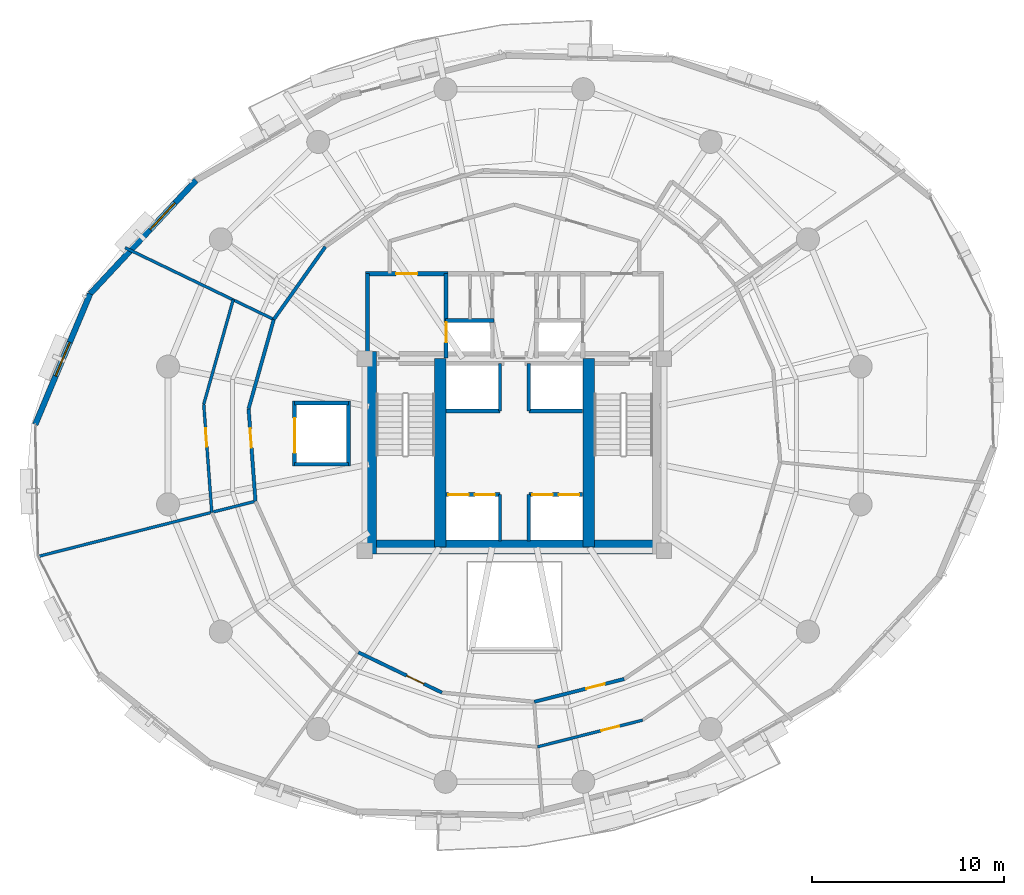
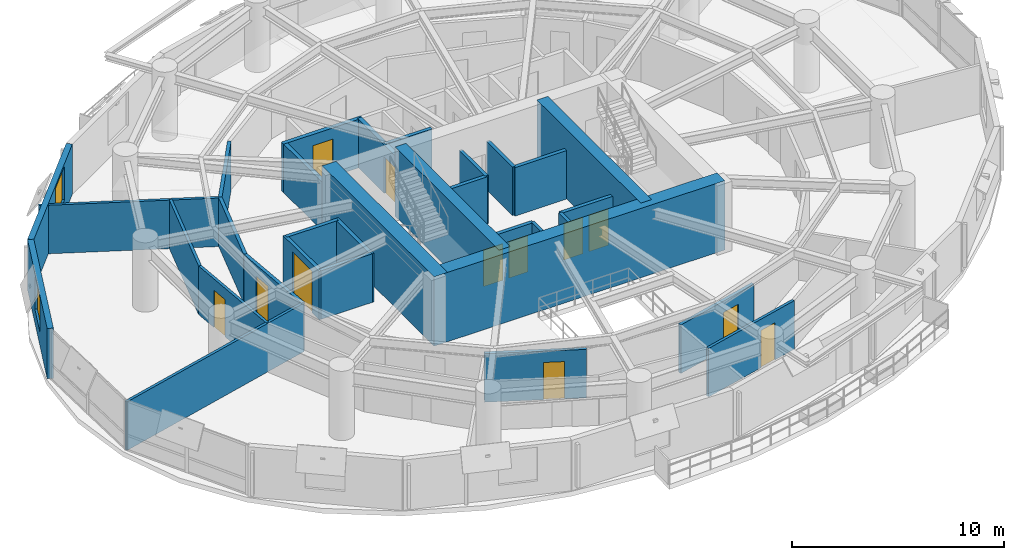
# One storey, part 10 of 15: 32 walls, 12 doors, 2 windows, 14 openings.
"""IFC4 building model written with IfcOpenShell, lengths in metres."""

from ifc_helpers import new_model, si_unit, direction, frame, frame_2d, origin, place, context, subcontext, project, spatial, rectangle, extrude, material, layer, layer_set, type_object, element, fill, save


model = new_model("IFC4")

# Units and contexts
model_context = context("Model", 3, precision=1e-05, world=origin(), true_north=direction((0.0, 1.0)))
body_context = subcontext(model_context, "Body", "Model", "MODEL_VIEW")
ifc_project = project(units=[si_unit("LENGTHUNIT", "METRE"), si_unit("AREAUNIT", "SQUARE_METRE"), si_unit("VOLUMEUNIT", "CUBIC_METRE"), si_unit("PLANEANGLEUNIT", "RADIAN"), si_unit("MASSUNIT", "GRAM", prefix="KILO"), si_unit("THERMODYNAMICTEMPERATUREUNIT", "KELVIN"), si_unit("POWERUNIT", "WATT")], contexts=[model_context])

# Site, building, storey
site_placement = place(None, origin())
site = spatial("IfcSite", under=ifc_project, at=site_placement, CompositionType="ELEMENT")
building_placement = place(site_placement, origin())
building = spatial("IfcBuilding", under=site, at=building_placement, Name="Ocrelia Relay Tower", CompositionType="ELEMENT")
storey_placement = place(building_placement, frame((0.0, 0.0, 93.800048828125)))
storey = spatial("IfcBuildingStorey", under=building, at=storey_placement, Name="L21", CompositionType="ELEMENT", Elevation=93.800048828125)

# Walls
ifc_material_1 = material(Name="Concrete C60/75", Category="concrete")
ifc_layer_1 = layer(ifc_material_1, 0.75, Name="Concrete C60/75")
ifc_layer_set_1 = layer_set([ifc_layer_1], Name="Concrete C60/75")
wall_type_1 = type_object("IfcWallType", Name="CW-CORE-750", PredefinedType="SHEAR", material=ifc_layer_set_1)
wall_1_placement = place(storey_placement, frame((26.072021484375, 20.18701171875, 0.0), z_axis=(0.0, 0.0, 1.0), x_axis=(1.0, 0.0, 0.0)))
element("IfcWall", 1, at=wall_1_placement, inside=storey, type_object=wall_type_1, Name="L21 Core Shear Wall S", PredefinedType="SHEAR", context=body_context, shape_type="SweptSolid", body=[
    extrude(rectangle(XDim=15.865966796875, YDim=0.75, at=frame_2d((7.93310546875, 0.0))), origin(), (0.0, 0.0, 1.0), 4.0),
])
wall_2_placement = place(storey_placement, frame((26.447021484375, 19.81201171875, 0.0), z_axis=(0.0, 0.0, 1.0), x_axis=(0.0, 1.0, 0.0)))
element("IfcWall", 2, at=wall_2_placement, inside=storey, type_object=wall_type_1, Name="L21 Core Shear Wall W", PredefinedType="SHEAR", context=body_context, shape_type="SweptSolid", body=[
    extrude(rectangle(XDim=10.575927734375, YDim=0.75, at=frame_2d((5.2880859375, 0.0))), origin(), (0.0, 0.0, 1.0), 4.0),
])
for number, where, z_axis, x_axis, name in (
    (3, (30.137939453125, 20.18701171875, 0.0), (0.0, 0.0, 1.0), (0.0, 1.0, 0.0), "L21 Core Shear Wall SPW"),
    (4, (37.8720703125, 20.18701171875, 0.0), (0.0, 0.0, 1.0), (0.0, 1.0, 0.0), "L21 Core Shear Wall SPE"),
):
    element("IfcWall", number, at=place(storey_placement, frame(where, z_axis=z_axis, x_axis=x_axis)), inside=storey, type_object=wall_type_1, Name=name, PredefinedType="SHEAR", context=body_context, shape_type="SweptSolid", body=[
        extrude(rectangle(XDim=9.825927734375, YDim=0.60009765625, at=frame_2d((4.9130859375, 0.0))), origin(), (0.0, 0.0, 1.0), 4.0),
    ])
ifc_material_2 = material(Name="Gypsum Fireboard Partition EI60", Category="gypsum")
ifc_layer_2 = layer(ifc_material_2, 0.179931640625, Name="Gypsum Fireboard Partition EI60")
ifc_layer_set_2 = layer_set([ifc_layer_2], Name="Gypsum Fireboard Partition EI60")
wall_type_2 = type_object("IfcWallType", Name="W-CORR-EI60-180", PredefinedType="PARTITIONING", material=ifc_layer_set_2)
wall_3_placement = place(storey_placement, frame((24.1484375, 35.834228515625, 0.0), z_axis=(0.0, 0.0, 1.0), x_axis=(-0.578568740179, -0.815633626629, 0.0)))
element("IfcWall", 5, at=wall_3_placement, inside=storey, type_object=wall_type_2, Name="L21 Optical Switching Hall A Corridor Partition 5", PredefinedType="PARTITIONING", context=body_context, shape_type="SweptSolid", body=[
    extrude(rectangle(XDim=4.642578125, YDim=0.179931640625, at=frame_2d((2.3212890625, 0.0))), origin(), (0.0, 0.0, 1.0), 2.800048828125),
])
wall_4_placement = place(storey_placement, frame((21.46240234375, 32.047607421875, 0.0), z_axis=(0.0, 0.0, 1.0), x_axis=(-0.2714781561, -0.962444601398, 0.0)))
element("IfcWall", 6, at=wall_4_placement, inside=storey, type_object=wall_type_2, Name="L21 Network Engineering Office A Corridor Partition 1", PredefinedType="PARTITIONING", context=body_context, shape_type="SweptSolid", body=[
    extrude(rectangle(XDim=4.834716796875, YDim=0.179931640625, at=frame_2d((2.41748046875, 0.0))), origin(), (0.0, 0.0, 1.0), 2.800048828125),
])

# Wall, opening, door
wall_5_placement = place(storey_placement, frame((20.14990234375, 27.39453125, 0.0), z_axis=(0.0, 0.0, 1.0), x_axis=(0.074135832701, -0.997248152823, 0.0)))
wall_5 = element("IfcWall", 7, at=wall_5_placement, inside=storey, type_object=wall_type_2, Name="L21 Network Engineering Office A Corridor Partition 2", PredefinedType="PARTITIONING", context=body_context, shape_type="SweptSolid", body=[
    extrude(rectangle(XDim=4.834228515625, YDim=0.179931640625, at=frame_2d((2.4169921875, 0.0))), origin(), (0.0, 0.0, 1.0), 2.800048828125),
])
opening_1_placement = place(wall_5_placement, frame((1.03369140625, 0.0, 0.0)))
opening_1 = element("IfcOpeningElement", 8, at=opening_1_placement, cuts=wall_5, Name="Opening D-RM100", PredefinedType="OPENING", context=body_context, shape_type="SweptSolid", body=[
    extrude(rectangle(XDim=1.0, YDim=2.14990234375, at=frame_2d((0.5, 1.074951171875))), frame((0.0, 0.10009765625, 0.0), z_axis=(0.0, -1.0, 0.0), x_axis=(1.0, 0.0, 0.0)), (0.0, 0.0, 1.0), 0.199951171875),
])
ifc_material_3 = material(Name="Acoustic oak veneer fire door", Category="wood")
door_type_1 = type_object("IfcDoorType", Name="DR-ROOM-FD60-1000", OperationType="NOTDEFINED", PredefinedType="DOOR", material=ifc_material_3)
door_1_placement = place(opening_1_placement, origin())
door_1 = element("IfcDoor", 9, at=door_1_placement, inside=storey, type_object=door_type_1, Name="L21 Network Engineering Office A Entrance Door", OperationType="SINGLE_SWING_RIGHT", OverallHeight=2.14990234375, OverallWidth=1.0, PredefinedType="DOOR", context=body_context, shape_type="SweptSolid", body=[
    extrude(rectangle(XDim=1.0, YDim=2.14990234375, at=frame_2d((0.5, 1.074951171875))), frame((0.0, 0.02490234375, 0.0), z_axis=(0.0, -1.0, 0.0), x_axis=(1.0, 0.0, 0.0)), (0.0, 0.0, 1.0), 0.050048828125),
])
fill(opening_1, door_1)

wall_6_placement = place(storey_placement, frame((25.8671875, 14.702880859375, 0.0), z_axis=(0.0, 0.0, 1.0), x_axis=(0.900689994379, -0.434462350527, 0.0)))
wall_6 = element("IfcWall", 10, at=wall_6_placement, inside=storey, type_object=wall_type_2, Name="L21 Peering Systems Office C Corridor Partition 1", PredefinedType="PARTITIONING", context=body_context, shape_type="SweptSolid", body=[
    extrude(rectangle(XDim=4.834228515625, YDim=0.179931640625, at=frame_2d((2.4169921875, 0.0))), origin(), (0.0, 0.0, 1.0), 2.800048828125),
])
opening_2_placement = place(wall_6_placement, frame((2.80078125, 0.0, 0.0)))
opening_2 = element("IfcOpeningElement", 11, at=opening_2_placement, cuts=wall_6, Name="Opening D-RM100", PredefinedType="OPENING", context=body_context, shape_type="SweptSolid", body=[
    extrude(rectangle(XDim=1.0, YDim=2.14990234375, at=frame_2d((0.5, 1.074951171875))), frame((0.0, 0.10009765625, 0.0), z_axis=(0.0, -1.0, 0.0), x_axis=(1.0, 0.0, 0.0)), (0.0, 0.0, 1.0), 0.199951171875),
])
door_2_placement = place(opening_2_placement, origin())
door_2 = element("IfcDoor", 12, at=door_2_placement, inside=storey, type_object=door_type_1, Name="L21 Peering Systems Office C Entrance Door", OperationType="SINGLE_SWING_RIGHT", OverallHeight=2.14990234375, OverallWidth=1.0, PredefinedType="DOOR", context=body_context, shape_type="SweptSolid", body=[
    extrude(rectangle(XDim=1.0, YDim=2.14990234375, at=frame_2d((0.5, 1.074951171875))), frame((0.0, 0.02490234375, 0.0), z_axis=(0.0, -1.0, 0.0), x_axis=(1.0, 0.0, 0.0)), (0.0, 0.0, 1.0), 0.050048828125),
])
fill(opening_2, door_2)

wall_7_placement = place(storey_placement, frame((35.031494140625, 12.118408203125, 0.0), z_axis=(0.0, 0.0, 1.0), x_axis=(0.969235741286, 0.246134267859, 0.0)))
wall_7 = element("IfcWall", 13, at=wall_7_placement, inside=storey, type_object=wall_type_2, Name="L21 Protocol Testing Lab Corridor Partition 1", PredefinedType="PARTITIONING", context=body_context, shape_type="SweptSolid", body=[
    extrude(rectangle(XDim=4.83447265625, YDim=0.179931640625, at=frame_2d((2.417236328125, 0.0))), origin(), (0.0, 0.0, 1.0), 2.800048828125),
])
opening_3_placement = place(wall_7_placement, frame((2.80078125, 0.0, 0.0)))
opening_3 = element("IfcOpeningElement", 14, at=opening_3_placement, cuts=wall_7, Name="Opening D-RM100", PredefinedType="OPENING", context=body_context, shape_type="SweptSolid", body=[
    extrude(rectangle(XDim=1.0, YDim=2.14990234375, at=frame_2d((0.5, 1.074951171875))), frame((0.0, 0.10009765625, 0.0), z_axis=(0.0, -1.0, 0.0), x_axis=(1.0, 0.0, 0.0)), (0.0, 0.0, 1.0), 0.199951171875),
])
door_3_placement = place(opening_3_placement, origin())
door_3 = element("IfcDoor", 15, at=door_3_placement, inside=storey, type_object=door_type_1, Name="L21 Protocol Testing Lab Entrance Door", OperationType="SINGLE_SWING_RIGHT", OverallHeight=2.14990234375, OverallWidth=1.0, PredefinedType="DOOR", context=body_context, shape_type="SweptSolid", body=[
    extrude(rectangle(XDim=1.0, YDim=2.14990234375, at=frame_2d((0.5, 1.074951171875))), frame((0.0, 0.02490234375, 0.0), z_axis=(0.0, -1.0, 0.0), x_axis=(1.0, 0.0, 0.0)), (0.0, 0.0, 1.0), 0.050048828125),
])
fill(opening_3, door_3)

# Wall, opening, window
ifc_material_4 = material(Name="Precast concrete C40/50 with oxide terracotta", Category="masonry")
ifc_layer_3 = layer(ifc_material_4, 0.300048828125, Name="Precast concrete C40/50 with oxide terracotta")
ifc_layer_set_3 = layer_set([ifc_layer_3], Name="Precast concrete C40/50 with oxide terracotta")
wall_type_3 = type_object("IfcWallType", Name="W-EXT-TERR-300", PredefinedType="SOLIDWALL", material=ifc_layer_set_3)
wall_8_placement = place(storey_placement, frame((17.41552734375, 39.301025390625, 0.0), z_axis=(0.0, 0.0, 1.0), x_axis=(-0.682395616095, -0.730983052563, 0.0)))
wall_8 = element("IfcWall", 16, at=wall_8_placement, inside=storey, type_object=wall_type_3, Name="L21 Oxide Terracotta Facade Wall 07", PredefinedType="SOLIDWALL", context=body_context, shape_type="SweptSolid", body=[
    extrude(rectangle(XDim=8.094970703125, YDim=0.300048828125, at=frame_2d((4.04736328125, 0.0))), origin(), (0.0, 0.0, 1.0), 2.89990234375),
])
opening_4_placement = place(wall_8_placement, frame((1.614990234375, 0.0, 0.800048828125)))
opening_4 = element("IfcOpeningElement", 17, at=opening_4_placement, cuts=wall_8, Name="Opening W-06", PredefinedType="OPENING", context=body_context, shape_type="SweptSolid", body=[
    extrude(rectangle(XDim=1.89990234375, YDim=1.949951171875, at=frame_2d((0.949951171875, 0.97509765625))), frame((0.0, 0.16015625, 0.0), z_axis=(0.0, -1.0, 0.0), x_axis=(1.0, 0.0, 0.0)), (0.0, 0.0, 1.0), 0.320068359375),
])
ifc_material_5 = material(Name="Clear double-glazed low-E glass", Category="glass")
window_type = type_object("IfcWindowType", Name="WIN-Z2-1900x2100", PartitioningType="DOUBLE_PANEL_VERTICAL", PredefinedType="WINDOW", material=ifc_material_5)
window_1_placement = place(opening_4_placement, origin())
window_1 = element("IfcWindow", 18, at=window_1_placement, inside=storey, type_object=window_type, Name="L21 Facade Module Window 07", OverallHeight=1.949951171875, OverallWidth=1.89990234375, PartitioningType="SINGLE_PANEL", PredefinedType="WINDOW", context=body_context, shape_type="SweptSolid", body=[
    extrude(rectangle(XDim=1.89990234375, YDim=1.949951171875, at=frame_2d((0.949951171875, 0.97509765625))), frame((0.0, 0.030029296875, 0.0), z_axis=(0.0, -1.0, 0.0), x_axis=(1.0, 0.0, 0.0)), (0.0, 0.0, 1.0), 0.06005859375),
])
fill(opening_4, window_1)

wall_9_placement = place(storey_placement, frame((11.8916015625, 33.3837890625, 0.0), z_axis=(0.0, 0.0, 1.0), x_axis=(-0.387032350471, -0.922066136288, 0.0)))
wall_9 = element("IfcWall", 19, at=wall_9_placement, inside=storey, type_object=wall_type_3, Name="L21 Oxide Terracotta Facade Wall 08", PredefinedType="SOLIDWALL", context=body_context, shape_type="SweptSolid", body=[
    extrude(rectangle(XDim=7.383544921875, YDim=0.300048828125, at=frame_2d((3.69189453125, 0.0))), origin(), (0.0, 0.0, 1.0), 2.89990234375),
])
opening_5_placement = place(wall_9_placement, frame((2.741943359375, 0.0, 0.800048828125)))
opening_5 = element("IfcOpeningElement", 20, at=opening_5_placement, cuts=wall_9, Name="Opening W-06", PredefinedType="OPENING", context=body_context, shape_type="SweptSolid", body=[
    extrude(rectangle(XDim=1.89990234375, YDim=1.949951171875, at=frame_2d((0.949951171875, 0.97509765625))), frame((0.0, 0.16015625, 0.0), z_axis=(0.0, -1.0, 0.0), x_axis=(1.0, 0.0, 0.0)), (0.0, 0.0, 1.0), 0.320068359375),
])
window_2_placement = place(opening_5_placement, origin())
window_2 = element("IfcWindow", 21, at=window_2_placement, inside=storey, type_object=window_type, Name="L21 Facade Module Window 08", OverallHeight=1.949951171875, OverallWidth=1.89990234375, PartitioningType="SINGLE_PANEL", PredefinedType="WINDOW", context=body_context, shape_type="SweptSolid", body=[
    extrude(rectangle(XDim=1.89990234375, YDim=1.949951171875, at=frame_2d((0.949951171875, 0.97509765625))), frame((0.0, 0.030029296875, 0.0), z_axis=(0.0, -1.0, 0.0), x_axis=(1.0, 0.0, 0.0)), (0.0, 0.0, 1.0), 0.06005859375),
])
fill(opening_5, window_2)

# Wall
ifc_material_6 = material(Name="Concrete C50/60", Category="concrete")
ifc_layer_4 = layer(ifc_material_6, 0.219970703125, Name="Concrete C50/60")
ifc_layer_set_4 = layer_set([ifc_layer_4], Name="Concrete C50/60")
wall_type_4 = type_object("IfcWallType", Name="W-FFL-EI120-220", PredefinedType="SOLIDWALL", material=ifc_layer_set_4)
wall_10_placement = place(storey_placement, frame((26.35009765625, 30.050048828125, 0.0), z_axis=(0.0, 0.0, 1.0), x_axis=(0.0, 1.0, 0.0)))
element("IfcWall", 22, at=wall_10_placement, inside=storey, type_object=wall_type_4, Name="L21 W Fire Service Lift Lobby West Wall", PredefinedType="SOLIDWALL", context=body_context, shape_type="SweptSolid", body=[
    extrude(rectangle(XDim=4.3798828125, YDim=0.219970703125, at=frame_2d((2.18994140625, 0.0))), origin(), (0.0, 0.0, 1.0), 2.800048828125),
])

# Wall, opening, door
wall_11_placement = place(storey_placement, frame((30.43994140625, 30.050048828125, 0.0), z_axis=(0.0, 0.0, 1.0), x_axis=(0.0, 1.0, 0.0)))
wall_11 = element("IfcWall", 23, at=wall_11_placement, inside=storey, type_object=wall_type_4, Name="L21 W Fire Service Lift Lobby East Wall", PredefinedType="SOLIDWALL", context=body_context, shape_type="SweptSolid", body=[
    extrude(rectangle(XDim=4.3798828125, YDim=0.219970703125, at=frame_2d((2.18994140625, 0.0))), origin(), (0.0, 0.0, 1.0), 2.800048828125),
])
opening_6_placement = place(wall_11_placement, frame((0.800048828125, 0.0, 0.0)))
opening_6 = element("IfcOpeningElement", 24, at=opening_6_placement, cuts=wall_11, Name="Opening LD-FFL1", PredefinedType="OPENING", context=body_context, shape_type="SweptSolid", body=[
    extrude(rectangle(XDim=1.050048828125, YDim=2.10009765625, at=frame_2d((0.52490234375, 1.050048828125))), frame((0.0, 0.1201171875, 0.0), z_axis=(0.0, -1.0, 0.0), x_axis=(1.0, 0.0, 0.0)), (0.0, 0.0, 1.0), 0.239990234375),
])
ifc_material_7 = material(Name="Brushed stainless steel S355 lift landing door", Category="steel")
door_type_2 = type_object("IfcDoorType", Name="DR-LIFT-LAND-1050", OperationType="DOUBLE_DOOR_SLIDING", PredefinedType="USERDEFINED", material=ifc_material_7)
door_4_placement = place(opening_6_placement, origin())
door_4 = element("IfcDoor", 25, at=door_4_placement, inside=storey, type_object=door_type_2, Name="L21 Firefighting Lift FFL1 Sliding Landing Door", ObjectType="LANDING DOOR", OperationType="DOUBLE_DOOR_SLIDING", OverallHeight=2.10009765625, OverallWidth=1.050048828125, PredefinedType="USERDEFINED", context=body_context, shape_type="SweptSolid", body=[
    extrude(rectangle(XDim=1.050048828125, YDim=2.10009765625, at=frame_2d((0.52490234375, 1.050048828125))), frame((0.0, 0.02490234375, 0.0), z_axis=(0.0, -1.0, 0.0), x_axis=(1.0, 0.0, 0.0)), (0.0, 0.0, 1.0), 0.050048828125),
])
fill(opening_6, door_4)

wall_12_placement = place(storey_placement, frame((26.239990234375, 34.429931640625, 0.0), z_axis=(0.0, 0.0, 1.0), x_axis=(1.0, 0.0, 0.0)))
wall_12 = element("IfcWall", 26, at=wall_12_placement, inside=storey, type_object=wall_type_4, Name="L21 W Fire Service Lift Lobby North Wall", PredefinedType="SOLIDWALL", context=body_context, shape_type="SweptSolid", body=[
    extrude(rectangle(XDim=4.31005859375, YDim=0.219970703125, at=frame_2d((2.155029296875, 0.0))), origin(), (0.0, 0.0, 1.0), 2.800048828125),
])
opening_7_placement = place(wall_12_placement, frame((1.60009765625, 0.0, 0.0)))
opening_7 = element("IfcOpeningElement", 27, at=opening_7_placement, cuts=wall_12, Name="Opening D-FD60", PredefinedType="OPENING", context=body_context, shape_type="SweptSolid", body=[
    extrude(rectangle(XDim=1.10009765625, YDim=2.14990234375, at=frame_2d((0.550048828125, 1.074951171875))), frame((0.0, 0.1201171875, 0.0), z_axis=(0.0, -1.0, 0.0), x_axis=(1.0, 0.0, 0.0)), (0.0, 0.0, 1.0), 0.239990234375),
])
ifc_material_8 = material(Name="Timber-core 60-min acoustic fire door", Category="wood")
door_type_3 = type_object("IfcDoorType", Name="DR-LOBBY-FD60-1100", OperationType="NOTDEFINED", PredefinedType="DOOR", material=ifc_material_8)
door_5_placement = place(opening_7_placement, origin())
door_5 = element("IfcDoor", 28, at=door_5_placement, inside=storey, type_object=door_type_3, Name="L21 W Fire Service Lift Lobby Exit Door", OperationType="SINGLE_SWING_RIGHT", OverallHeight=2.14990234375, OverallWidth=1.10009765625, PredefinedType="DOOR", context=body_context, shape_type="SweptSolid", body=[
    extrude(rectangle(XDim=1.10009765625, YDim=2.14990234375, at=frame_2d((0.550048828125, 1.074951171875))), frame((0.0, 0.02490234375, 0.0), z_axis=(0.0, -1.0, 0.0), x_axis=(1.0, 0.0, 0.0)), (0.0, 0.0, 1.0), 0.050048828125),
])
fill(opening_7, door_5)

# Walls
ifc_material_9 = material(Name="Acoustic Fireboard Partition EI60", Category="gypsum")
ifc_layer_5 = layer(ifc_material_9, 0.14990234375, Name="Acoustic Fireboard Partition EI60")
ifc_layer_set_5 = layer_set([ifc_layer_5], Name="Acoustic Fireboard Partition EI60")
wall_type_5 = type_object("IfcWallType", Name="W-PART-150", PredefinedType="PARTITIONING", material=ifc_layer_set_5)
wall_13_placement = place(storey_placement, frame((21.46240234375, 32.047607421875, 0.0), z_axis=(0.0, 0.0, 1.0), x_axis=(-0.900703264651, 0.434434838667, 0.0)))
element("IfcWall", 29, at=wall_13_placement, inside=storey, type_object=wall_type_5, Name="L21 Optical Switching Hall A Radial Partition", PredefinedType="PARTITIONING", context=body_context, shape_type="SweptSolid", body=[
    extrude(rectangle(XDim=8.60498046875, YDim=0.14990234375, at=frame_2d((4.302490234375, 0.0))), origin(), (0.0, 0.0, 1.0), 2.800048828125),
])
wall_14_placement = place(storey_placement, frame((20.50830078125, 22.573486328125, 0.0), z_axis=(0.0, 0.0, 1.0), x_axis=(-0.969232035742, -0.246148859214, 0.0)))
element("IfcWall", 30, at=wall_14_placement, inside=storey, type_object=wall_type_5, Name="L21 Network Engineering Office A Radial Partition", PredefinedType="PARTITIONING", context=body_context, shape_type="SweptSolid", body=[
    extrude(rectangle(XDim=11.679931640625, YDim=0.14990234375, at=frame_2d((5.83984375, 0.0))), origin(), (0.0, 0.0, 1.0), 2.800048828125),
])
wall_15_placement = place(storey_placement, frame((19.345703125, 33.068359375, 0.0), z_axis=(0.0, 0.0, 1.0), x_axis=(-0.271432456024, -0.962457490914, 0.0)))
element("IfcWall", 31, at=wall_15_placement, inside=storey, type_object=wall_type_5, Name="L21 Perimeter Network Engineering Office A Mid-Ring Partition 1", PredefinedType="PARTITIONING", context=body_context, shape_type="SweptSolid", body=[
    extrude(rectangle(XDim=5.650390625, YDim=0.14990234375, at=frame_2d((2.8251953125, 0.0))), origin(), (0.0, 0.0, 1.0), 2.800048828125),
])

# Wall, opening, door
wall_16_placement = place(storey_placement, frame((17.81201171875, 27.630126953125, 0.0), z_axis=(0.0, 0.0, 1.0), x_axis=(0.074099269637, -0.997250870262, 0.0)))
wall_16 = element("IfcWall", 32, at=wall_16_placement, inside=storey, type_object=wall_type_5, Name="L21 Perimeter Network Engineering Office A Mid-Ring Partition 2", PredefinedType="PARTITIONING", context=body_context, shape_type="SweptSolid", body=[
    extrude(rectangle(XDim=5.650634765625, YDim=0.14990234375, at=frame_2d((2.8251953125, 0.0))), origin(), (0.0, 0.0, 1.0), 2.800048828125),
])
opening_8_placement = place(wall_16_placement, frame((1.26513671875, 0.0, 0.0)))
opening_8 = element("IfcOpeningElement", 33, at=opening_8_placement, cuts=wall_16, Name="Opening D-RM95", PredefinedType="OPENING", context=body_context, shape_type="SweptSolid", body=[
    extrude(rectangle(XDim=0.949951171875, YDim=2.14990234375, at=frame_2d((0.47509765625, 1.074951171875))), frame((0.0, 0.0849609375, 0.0), z_axis=(0.0, -1.0, 0.0), x_axis=(1.0, 0.0, 0.0)), (0.0, 0.0, 1.0), 0.169921875),
])
door_type_4 = type_object("IfcDoorType", Name="DR-ROOM-950", OperationType="NOTDEFINED", PredefinedType="DOOR", material=ifc_material_3)
door_6_placement = place(opening_8_placement, origin())
door_6 = element("IfcDoor", 34, at=door_6_placement, inside=storey, type_object=door_type_4, Name="L21 Perimeter Network Engineering Office A Connecting Door", OperationType="SINGLE_SWING_LEFT", OverallHeight=2.14990234375, OverallWidth=0.949951171875, PredefinedType="DOOR", context=body_context, shape_type="SweptSolid", body=[
    extrude(rectangle(XDim=0.949951171875, YDim=2.14990234375, at=frame_2d((0.47509765625, 1.074951171875))), frame((0.0, 0.02490234375, 0.0), z_axis=(0.0, -1.0, 0.0), x_axis=(1.0, 0.0, 0.0)), (0.0, 0.0, 1.0), 0.050048828125),
])
fill(opening_8, door_6)

wall_17_placement = place(storey_placement, frame((35.205810546875, 9.774658203125, 0.0), z_axis=(0.0, 0.0, 1.0), x_axis=(0.969230932857, 0.246153201876, 0.0)))
wall_17 = element("IfcWall", 35, at=wall_17_placement, inside=storey, type_object=wall_type_5, Name="L21 Perimeter Protocol Testing Lab Mid-Ring Partition 1", PredefinedType="PARTITIONING", context=body_context, shape_type="SweptSolid", body=[
    extrude(rectangle(XDim=5.650390625, YDim=0.14990234375, at=frame_2d((2.8251953125, 0.0))), origin(), (0.0, 0.0, 1.0), 2.800048828125),
])
opening_9_placement = place(wall_17_placement, frame((3.435302734375, 0.0, 0.0)))
opening_9 = element("IfcOpeningElement", 36, at=opening_9_placement, cuts=wall_17, Name="Opening D-RM95", PredefinedType="OPENING", context=body_context, shape_type="SweptSolid", body=[
    extrude(rectangle(XDim=0.949951171875, YDim=2.14990234375, at=frame_2d((0.47509765625, 1.074951171875))), frame((0.0, 0.0849609375, 0.0), z_axis=(0.0, -1.0, 0.0), x_axis=(1.0, 0.0, 0.0)), (0.0, 0.0, 1.0), 0.169921875),
])
door_7_placement = place(opening_9_placement, origin())
door_7 = element("IfcDoor", 37, at=door_7_placement, inside=storey, type_object=door_type_4, Name="L21 Perimeter Protocol Testing Lab Connecting Door", OperationType="SINGLE_SWING_LEFT", OverallHeight=2.14990234375, OverallWidth=0.949951171875, PredefinedType="DOOR", context=body_context, shape_type="SweptSolid", body=[
    extrude(rectangle(XDim=0.949951171875, YDim=2.14990234375, at=frame_2d((0.47509765625, 1.074951171875))), frame((0.0, 0.02490234375, 0.0), z_axis=(0.0, -1.0, 0.0), x_axis=(1.0, 0.0, 0.0)), (0.0, 0.0, 1.0), 0.050048828125),
])
fill(opening_9, door_7)

# Wall
ifc_layer_6 = layer(ifc_material_6, 0.199951171875, Name="Concrete C50/60")
ifc_layer_set_6 = layer_set([ifc_layer_6], Name="Concrete C50/60")
wall_type_6 = type_object("IfcWallType", Name="W-SHAFT-EI120-200", PredefinedType="SOLIDWALL", material=ifc_layer_set_6)
wall_18_placement = place(storey_placement, frame((30.39990234375, 32.0, 0.0), z_axis=(0.0, 0.0, 1.0), x_axis=(1.0, 0.0, 0.0)))
element("IfcWall", 38, at=wall_18_placement, inside=storey, type_object=wall_type_6, Name="L21 FFL1 Hoistway North Wall", PredefinedType="SOLIDWALL", context=body_context, shape_type="SweptSolid", body=[
    extrude(rectangle(XDim=2.550048828125, YDim=0.199951171875, at=frame_2d((1.27490234375, 0.0))), origin(), (0.0, 0.0, 1.0), 2.800048828125),
])

# Wall, openings, doors
wall_19_placement = place(storey_placement, frame((30.43994140625, 22.919921875, 0.0), z_axis=(0.0, 0.0, 1.0), x_axis=(1.0, 0.0, 0.0)))
wall_19 = element("IfcWall", 39, at=wall_19_placement, inside=storey, type_object=wall_type_6, Name="L21 Low-Rise Lift Hoistway Wall W", PredefinedType="SOLIDWALL", context=body_context, shape_type="SweptSolid", body=[
    extrude(rectangle(XDim=2.81005859375, YDim=0.199951171875, at=frame_2d((1.405029296875, 0.0))), origin(), (0.0, 0.0, 1.0), 2.800048828125),
])
opening_10_placement = place(wall_19_placement, frame((0.1201171875, 0.0, 0.0)))
opening_10 = element("IfcOpeningElement", 40, at=opening_10_placement, cuts=wall_19, Name="Opening LD-PL1", PredefinedType="OPENING", context=body_context, shape_type="SweptSolid", body=[
    extrude(rectangle(XDim=1.050048828125, YDim=2.10009765625, at=frame_2d((0.52490234375, 1.050048828125))), frame((0.0, 0.10986328125, 0.0), z_axis=(0.0, -1.0, 0.0), x_axis=(1.0, 0.0, 0.0)), (0.0, 0.0, 1.0), 0.219970703125),
])
opening_11_placement = place(wall_19_placement, frame((1.5, 0.0, 0.0)))
opening_11 = element("IfcOpeningElement", 41, at=opening_11_placement, cuts=wall_19, Name="Opening LD-PL2", PredefinedType="OPENING", context=body_context, shape_type="SweptSolid", body=[
    extrude(rectangle(XDim=1.050048828125, YDim=2.10009765625, at=frame_2d((0.52490234375, 1.050048828125))), frame((0.0, 0.10986328125, 0.0), z_axis=(0.0, -1.0, 0.0), x_axis=(1.0, 0.0, 0.0)), (0.0, 0.0, 1.0), 0.219970703125),
])
door_8_placement = place(opening_10_placement, origin())
door_8 = element("IfcDoor", 42, at=door_8_placement, inside=storey, type_object=door_type_2, Name="L21 Passenger Lift PL1 Sliding Landing Door", ObjectType="LANDING DOOR", OperationType="DOUBLE_DOOR_SLIDING", OverallHeight=2.10009765625, OverallWidth=1.050048828125, PredefinedType="USERDEFINED", context=body_context, shape_type="SweptSolid", body=[
    extrude(rectangle(XDim=1.050048828125, YDim=2.10009765625, at=frame_2d((0.52490234375, 1.050048828125))), frame((0.0, 0.02490234375, 0.0), z_axis=(0.0, -1.0, 0.0), x_axis=(1.0, 0.0, 0.0)), (0.0, 0.0, 1.0), 0.050048828125),
])
fill(opening_10, door_8)
door_9_placement = place(opening_11_placement, origin())
door_9 = element("IfcDoor", 43, at=door_9_placement, inside=storey, type_object=door_type_2, Name="L21 Passenger Lift PL2 Sliding Landing Door", ObjectType="LANDING DOOR", OperationType="DOUBLE_DOOR_SLIDING", OverallHeight=2.10009765625, OverallWidth=1.050048828125, PredefinedType="USERDEFINED", context=body_context, shape_type="SweptSolid", body=[
    extrude(rectangle(XDim=1.050048828125, YDim=2.10009765625, at=frame_2d((0.52490234375, 1.050048828125))), frame((0.0, 0.02490234375, 0.0), z_axis=(0.0, -1.0, 0.0), x_axis=(1.0, 0.0, 0.0)), (0.0, 0.0, 1.0), 0.050048828125),
])
fill(opening_11, door_9)

# Wall
wall_20_placement = place(storey_placement, frame((33.25, 20.5, 0.0), z_axis=(0.0, 0.0, 1.0), x_axis=(0.0, 1.0, 0.0)))
element("IfcWall", 44, at=wall_20_placement, inside=storey, type_object=wall_type_6, Name="L21 Low-Rise Lift Throat Wall W", PredefinedType="SOLIDWALL", context=body_context, shape_type="SweptSolid", body=[
    extrude(rectangle(XDim=2.419921875, YDim=0.179931640625, at=frame_2d((1.2099609375, 0.0))), origin(), (0.0, 0.0, 1.0), 2.800048828125),
])

# Wall, openings, doors
wall_21_placement = place(storey_placement, frame((34.75, 22.919921875, 0.0), z_axis=(0.0, 0.0, 1.0), x_axis=(1.0, 0.0, 0.0)))
wall_21 = element("IfcWall", 45, at=wall_21_placement, inside=storey, type_object=wall_type_6, Name="L21 Low-Rise Lift Hoistway Wall E", PredefinedType="SOLIDWALL", context=body_context, shape_type="SweptSolid", body=[
    extrude(rectangle(XDim=2.81005859375, YDim=0.199951171875, at=frame_2d((1.405029296875, 0.0))), origin(), (0.0, 0.0, 1.0), 2.800048828125),
])
opening_12_placement = place(wall_21_placement, frame((0.18994140625, 0.0, 0.0)))
opening_12 = element("IfcOpeningElement", 46, at=opening_12_placement, cuts=wall_21, Name="Opening LD-PL3", PredefinedType="OPENING", context=body_context, shape_type="SweptSolid", body=[
    extrude(rectangle(XDim=1.050048828125, YDim=2.10009765625, at=frame_2d((0.52490234375, 1.050048828125))), frame((0.0, 0.10986328125, 0.0), z_axis=(0.0, -1.0, 0.0), x_axis=(1.0, 0.0, 0.0)), (0.0, 0.0, 1.0), 0.219970703125),
])
opening_13_placement = place(wall_21_placement, frame((1.570068359375, 0.0, 0.0)))
opening_13 = element("IfcOpeningElement", 47, at=opening_13_placement, cuts=wall_21, Name="Opening LD-PL4", PredefinedType="OPENING", context=body_context, shape_type="SweptSolid", body=[
    extrude(rectangle(XDim=1.050048828125, YDim=2.10009765625, at=frame_2d((0.52490234375, 1.050048828125))), frame((0.0, 0.10986328125, 0.0), z_axis=(0.0, -1.0, 0.0), x_axis=(1.0, 0.0, 0.0)), (0.0, 0.0, 1.0), 0.219970703125),
])
door_10_placement = place(opening_12_placement, origin())
door_10 = element("IfcDoor", 48, at=door_10_placement, inside=storey, type_object=door_type_2, Name="L21 Passenger Lift PL3 Sliding Landing Door", ObjectType="LANDING DOOR", OperationType="DOUBLE_DOOR_SLIDING", OverallHeight=2.10009765625, OverallWidth=1.050048828125, PredefinedType="USERDEFINED", context=body_context, shape_type="SweptSolid", body=[
    extrude(rectangle(XDim=1.050048828125, YDim=2.10009765625, at=frame_2d((0.52490234375, 1.050048828125))), frame((0.0, 0.02490234375, 0.0), z_axis=(0.0, -1.0, 0.0), x_axis=(1.0, 0.0, 0.0)), (0.0, 0.0, 1.0), 0.050048828125),
])
fill(opening_12, door_10)
door_11_placement = place(opening_13_placement, origin())
door_11 = element("IfcDoor", 49, at=door_11_placement, inside=storey, type_object=door_type_2, Name="L21 Passenger Lift PL4 Sliding Landing Door", ObjectType="LANDING DOOR", OperationType="DOUBLE_DOOR_SLIDING", OverallHeight=2.10009765625, OverallWidth=1.050048828125, PredefinedType="USERDEFINED", context=body_context, shape_type="SweptSolid", body=[
    extrude(rectangle(XDim=1.050048828125, YDim=2.10009765625, at=frame_2d((0.52490234375, 1.050048828125))), frame((0.0, 0.02490234375, 0.0), z_axis=(0.0, -1.0, 0.0), x_axis=(1.0, 0.0, 0.0)), (0.0, 0.0, 1.0), 0.050048828125),
])
fill(opening_13, door_11)

# Walls
wall_22_placement = place(storey_placement, frame((34.75, 20.5, 0.0), z_axis=(0.0, 0.0, 1.0), x_axis=(0.0, 1.0, 0.0)))
element("IfcWall", 50, at=wall_22_placement, inside=storey, type_object=wall_type_6, Name="L21 Low-Rise Lift Throat Wall E", PredefinedType="SOLIDWALL", context=body_context, shape_type="SweptSolid", body=[
    extrude(rectangle(XDim=2.419921875, YDim=0.179931640625, at=frame_2d((1.2099609375, 0.0))), origin(), (0.0, 0.0, 1.0), 2.800048828125),
])
wall_23_placement = place(storey_placement, frame((30.43994140625, 27.280029296875, 0.0), z_axis=(0.0, 0.0, 1.0), x_axis=(1.0, 0.0, 0.0)))
element("IfcWall", 51, at=wall_23_placement, inside=storey, type_object=wall_type_6, Name="L21 High-Rise Lift Hoistway Wall W", PredefinedType="SOLIDWALL", context=body_context, shape_type="SweptSolid", body=[
    extrude(rectangle(XDim=2.81005859375, YDim=0.199951171875, at=frame_2d((1.405029296875, 0.0))), origin(), (0.0, 0.0, 1.0), 2.800048828125),
])
wall_24_placement = place(storey_placement, frame((33.25, 27.280029296875, 0.0), z_axis=(0.0, 0.0, 1.0), x_axis=(0.0, 1.0, 0.0)))
element("IfcWall", 52, at=wall_24_placement, inside=storey, type_object=wall_type_6, Name="L21 High-Rise Lift Throat Wall W", PredefinedType="SOLIDWALL", context=body_context, shape_type="SweptSolid", body=[
    extrude(rectangle(XDim=2.469970703125, YDim=0.179931640625, at=frame_2d((1.23486328125, 0.0))), origin(), (0.0, 0.0, 1.0), 2.800048828125),
])
wall_25_placement = place(storey_placement, frame((34.75, 27.280029296875, 0.0), z_axis=(0.0, 0.0, 1.0), x_axis=(1.0, 0.0, 0.0)))
element("IfcWall", 53, at=wall_25_placement, inside=storey, type_object=wall_type_6, Name="L21 High-Rise Lift Hoistway Wall E", PredefinedType="SOLIDWALL", context=body_context, shape_type="SweptSolid", body=[
    extrude(rectangle(XDim=2.81005859375, YDim=0.199951171875, at=frame_2d((1.405029296875, 0.0))), origin(), (0.0, 0.0, 1.0), 2.800048828125),
])
wall_26_placement = place(storey_placement, frame((34.75, 27.280029296875, 0.0), z_axis=(0.0, 0.0, 1.0), x_axis=(0.0, 1.0, 0.0)))
element("IfcWall", 54, at=wall_26_placement, inside=storey, type_object=wall_type_6, Name="L21 High-Rise Lift Throat Wall E", PredefinedType="SOLIDWALL", context=body_context, shape_type="SweptSolid", body=[
    extrude(rectangle(XDim=2.469970703125, YDim=0.179931640625, at=frame_2d((1.23486328125, 0.0))), origin(), (0.0, 0.0, 1.0), 2.800048828125),
])

# Wall, opening, door
wall_27_placement = place(storey_placement, frame((22.550048828125, 24.39990234375, 0.0), z_axis=(0.0, 0.0, 1.0), x_axis=(0.0, 1.0, 0.0)))
wall_27 = element("IfcWall", 55, at=wall_27_placement, inside=storey, type_object=wall_type_6, Name="L21 Goods Lift Shaft West Wall", PredefinedType="SOLIDWALL", context=body_context, shape_type="SweptSolid", body=[
    extrude(rectangle(XDim=3.400146484375, YDim=0.199951171875, at=frame_2d((1.7001953125, 0.0))), origin(), (0.0, 0.0, 1.0), 2.800048828125),
])
opening_14_placement = place(wall_27_placement, frame((0.699951171875, 0.0, 0.0)))
opening_14 = element("IfcOpeningElement", 56, at=opening_14_placement, cuts=wall_27, Name="Opening LD-GL1", PredefinedType="OPENING", context=body_context, shape_type="SweptSolid", body=[
    extrude(rectangle(XDim=1.800048828125, YDim=2.39990234375, at=frame_2d((0.89990234375, 1.199951171875))), frame((0.0, 0.10986328125, 0.0), z_axis=(0.0, -1.0, 0.0), x_axis=(1.0, 0.0, 0.0)), (0.0, 0.0, 1.0), 0.219970703125),
])
ifc_material_10 = material(Name="Heavy-duty stainless steel S355 goods landing door", Category="steel")
door_type_5 = type_object("IfcDoorType", Name="DR-GOODS-LAND-1800", OperationType="DOUBLE_DOOR_SLIDING", PredefinedType="USERDEFINED", material=ifc_material_10)
door_12_placement = place(opening_14_placement, origin())
door_12 = element("IfcDoor", 57, at=door_12_placement, inside=storey, type_object=door_type_5, Name="L21 Goods Lift GL1 Sliding Landing Door", ObjectType="LANDING DOOR", OperationType="DOUBLE_DOOR_SLIDING", OverallHeight=2.39990234375, OverallWidth=1.800048828125, PredefinedType="USERDEFINED", context=body_context, shape_type="SweptSolid", body=[
    extrude(rectangle(XDim=1.800048828125, YDim=2.39990234375, at=frame_2d((0.89990234375, 1.199951171875))), frame((0.0, 0.02490234375, 0.0), z_axis=(0.0, -1.0, 0.0), x_axis=(1.0, 0.0, 0.0)), (0.0, 0.0, 1.0), 0.050048828125),
])
fill(opening_14, door_12)

# Walls
wall_28_placement = place(storey_placement, frame((25.35009765625, 24.39990234375, 0.0), z_axis=(0.0, 0.0, 1.0), x_axis=(0.0, 1.0, 0.0)))
element("IfcWall", 58, at=wall_28_placement, inside=storey, type_object=wall_type_6, Name="L21 Goods Lift Shaft E Wall", PredefinedType="SOLIDWALL", context=body_context, shape_type="SweptSolid", body=[
    extrude(rectangle(XDim=3.400146484375, YDim=0.199951171875, at=frame_2d((1.7001953125, 0.0))), origin(), (0.0, 0.0, 1.0), 2.800048828125),
])
for number, where, z_axis, x_axis, name in (
    (59, (22.550048828125, 24.5, 0.0), (0.0, 0.0, 1.0), (1.0, 0.0, 0.0), "L21 Goods Lift Shaft S Wall"),
    (60, (22.550048828125, 27.699951171875, 0.0), (0.0, 0.0, 1.0), (1.0, 0.0, 0.0), "L21 Goods Lift Shaft N Wall"),
):
    element("IfcWall", number, at=place(storey_placement, frame(where, z_axis=z_axis, x_axis=x_axis)), inside=storey, type_object=wall_type_6, Name=name, PredefinedType="SOLIDWALL", context=body_context, shape_type="SweptSolid", body=[
        extrude(rectangle(XDim=2.800048828125, YDim=0.199951171875, at=frame_2d((1.39990234375, 0.0))), origin(), (0.0, 0.0, 1.0), 2.800048828125),
    ])

save(model, "model.ifc")
